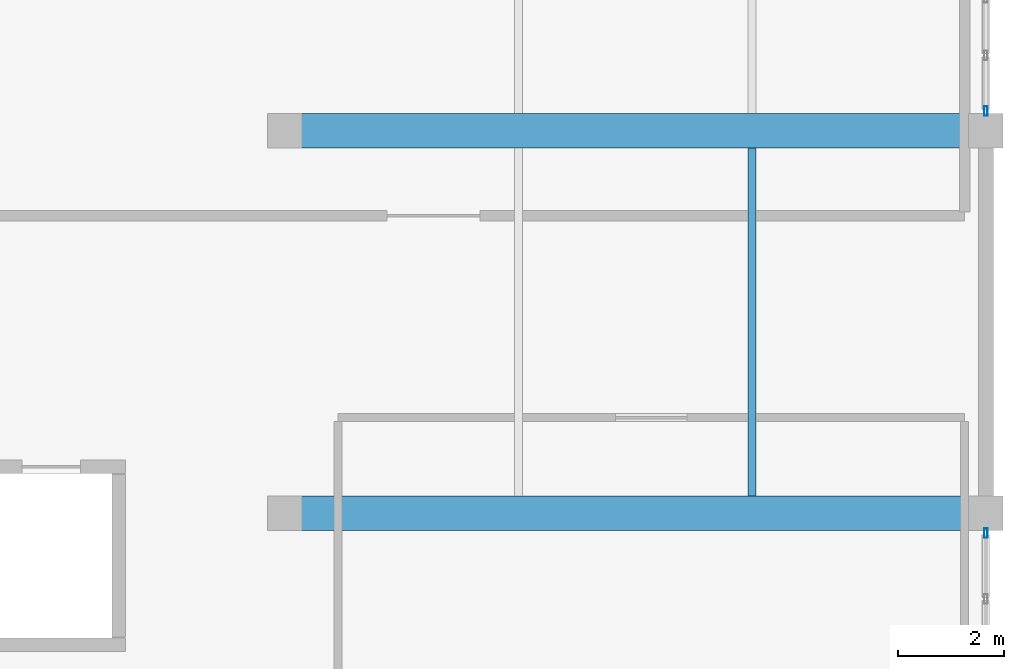
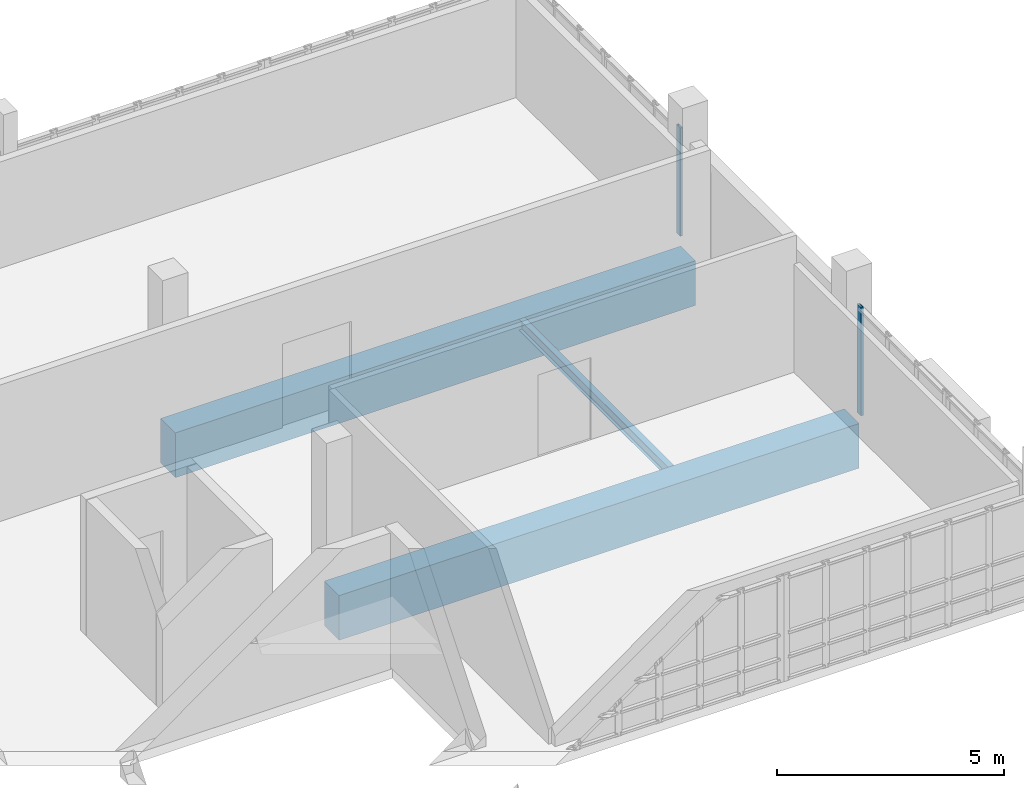
# One storey, part 12 of 25: 3 beams, 2 members, 2 elements without a shape of their own.
"""IFC4 building model written with IfcOpenShell, lengths in metres."""

from ifc_helpers import new_model, si_unit, direction, frame, origin, origin_2d, place, context, subcontext, project, spatial, rectangle, hollow_rectangle, i_section, extrude, material, layer, layer_set, material_profile, profile_set, type_object, element, aggregate, save


model = new_model("IFC4")

# Units and contexts
model_context = context("Model", 3, precision=1e-05, world=origin(), true_north=direction((0.0, 1.0)))
body_context = subcontext(model_context, "Body", "Model", "MODEL_VIEW")
ifc_project = project(units=[si_unit("LENGTHUNIT", "METRE"), si_unit("AREAUNIT", "SQUARE_METRE"), si_unit("VOLUMEUNIT", "CUBIC_METRE"), si_unit("PLANEANGLEUNIT", "RADIAN"), si_unit("MASSUNIT", "GRAM", prefix="KILO")], contexts=[model_context])

# Site, building, storey
site_placement = place(None, origin())
site = spatial("IfcSite", under=ifc_project, at=site_placement, CompositionType="ELEMENT")
building_placement = place(site_placement, origin())
building = spatial("IfcBuilding", under=site, at=building_placement, Name="Kisaragi Civic Commons", CompositionType="ELEMENT")
storey_placement = place(building_placement, frame((0.0, 0.0, 13.5)))
storey = spatial("IfcBuildingStorey", under=building, at=storey_placement, Name="L03", CompositionType="ELEMENT", Elevation=13.5)

# Curtain wall, member
ifc_material_1 = material(Name="Thermally broken anodized aluminium and low-E double glazing", Category="aluminium")
ifc_layer = layer(ifc_material_1, 0.179931640625, Name="Thermally broken anodized aluminium and low-E double glazing", Category="aluminium")
ifc_layer_set = layer_set([ifc_layer], Name="Thermally broken anodized aluminium and low-E double glazing")
curtain_wall_type = type_object("IfcCurtainWallType", Name="CW-01", PredefinedType="NOTDEFINED", material=ifc_layer_set)
curtain_wall_1_placement = place(storey_placement, origin())
curtain_wall_1 = element("IfcCurtainWall", 1, at=curtain_wall_1_placement, inside=storey, type_object=curtain_wall_type, Name="L03 curtain wall CW-01 CW-V4-L03-104", PredefinedType="NOTDEFINED")
ifc_material_profile_1 = material_profile(ifc_material_1, hollow_rectangle(XDim=0.06494140625, YDim=0.179931640625, WallThickness=0.00439453125, InnerFilletRadius=0.00439453125, OuterFilletRadius=0.009033203125, at=origin_2d()), Name="CWM-65x180x4.5", Category="aluminium")
ifc_profile_set_1 = profile_set([ifc_material_profile_1], Name="Thermally broken anodized aluminium and low-E double glazing")
member_type = type_object("IfcMemberType", Name="CWM-02", PredefinedType="MULLION", material=ifc_profile_set_1)
member_1_placement = place(storey_placement, frame((146.39990234375, 111.972412109375, 0.0), z_axis=(0.0, 0.0, 1.0), x_axis=(1.0, 0.0, 0.0)))
member_1 = element("IfcMember", 2, at=member_1_placement, type_object=member_type, Name="CW-01 mullion 4", PredefinedType="MULLION", context=body_context, shape_type="SweptSolid", body=[
    extrude(hollow_rectangle(XDim=0.06494140625, YDim=0.179931640625, WallThickness=0.00439453125, InnerFilletRadius=0.00439453125, OuterFilletRadius=0.009033203125, at=origin_2d()), origin(), (0.0, 0.0, 1.0), 2.905029296875),
])
aggregate(curtain_wall_1, [member_1])

curtain_wall_2_placement = place(storey_placement, origin())
curtain_wall_2 = element("IfcCurtainWall", 3, at=curtain_wall_2_placement, inside=storey, type_object=curtain_wall_type, Name="L03 curtain wall CW-01 CW-V4-L03-105", PredefinedType="NOTDEFINED")
member_2_placement = place(storey_placement, frame((146.39990234375, 104.027587890625, 0.0), z_axis=(0.0, 0.0, 1.0), x_axis=(1.0, 0.0, 0.0)))
member_2 = element("IfcMember", 4, at=member_2_placement, type_object=member_type, Name="CW-01 mullion 1", PredefinedType="MULLION", context=body_context, shape_type="SweptSolid", body=[
    extrude(hollow_rectangle(XDim=0.06494140625, YDim=0.179931640625, WallThickness=0.00439453125, InnerFilletRadius=0.00439453125, OuterFilletRadius=0.009033203125, at=origin_2d()), origin(), (0.0, 0.0, 1.0), 2.905029296875),
])
aggregate(curtain_wall_2, [member_2])

# Beams
ifc_material_2 = material(Name="Concrete Fc36", Category="concrete")
ifc_material_profile_2 = material_profile(ifc_material_2, rectangle(XDim=0.64990234375, YDim=1.199951171875, at=origin_2d()), Name="RC-650x1200", Category="concrete")
ifc_profile_set_2 = profile_set([ifc_material_profile_2], Name="Concrete Fc36")
beam_type_1 = type_object("IfcBeamType", Name="G-07", PredefinedType="BEAM", material=ifc_profile_set_2)
for number, where, z_axis, x_axis, name in (
    (5, (133.199951171875, 104.39990234375, -0.89501953125), (1.0, 0.0, 0.0), (0.0, 1.0, 0.0), "L03 girder G-07 327"),
    (6, (133.199951171875, 111.60009765625, -0.89501953125), (1.0, 0.0, 0.0), (0.0, 1.0, 0.0), "L03 girder G-07 331"),
):
    element("IfcBeam", number, at=place(storey_placement, frame(where, z_axis=z_axis, x_axis=x_axis)), inside=storey, type_object=beam_type_1, Name=name, PredefinedType="BEAM", context=body_context, shape_type="SweptSolid", body=[
        extrude(rectangle(XDim=0.64990234375, YDim=1.199951171875, at=origin_2d()), origin(), (0.0, 0.0, 1.0), 13.199951171875),
    ])
ifc_material_3 = material(Name="Steel SN400 (SN400B)", Category="steel")
ifc_material_profile_3 = material_profile(ifc_material_3, i_section(OverallWidth=0.14990234375, OverallDepth=0.300048828125, WebThickness=0.006591796875, FlangeThickness=0.009033203125, FilletRadius=0.012939453125, at=origin_2d()), Name="H-300x150x6.5x9", Category="steel")
ifc_profile_set_3 = profile_set([ifc_material_profile_3], Name="Steel SN400 (SN400B)")
beam_type_2 = type_object("IfcBeamType", Name="J-03", PredefinedType="JOIST", material=ifc_profile_set_3)
beam_placement = place(storey_placement, frame((142.0, 104.72509765625, -0.445068359375), z_axis=(0.0, 1.0, 0.0), x_axis=(-1.0, 0.0, 0.0)))
element("IfcBeam", 7, at=beam_placement, inside=storey, type_object=beam_type_2, Name="L03 secondary steel joist J-03 77", PredefinedType="JOIST", context=body_context, shape_type="SweptSolid", body=[
    extrude(i_section(OverallWidth=0.14990234375, OverallDepth=0.300048828125, WebThickness=0.006591796875, FlangeThickness=0.009033203125, FilletRadius=0.012939453125, at=origin_2d()), origin(), (0.0, 0.0, 1.0), 6.5498046875),
])

save(model, "model.ifc")
